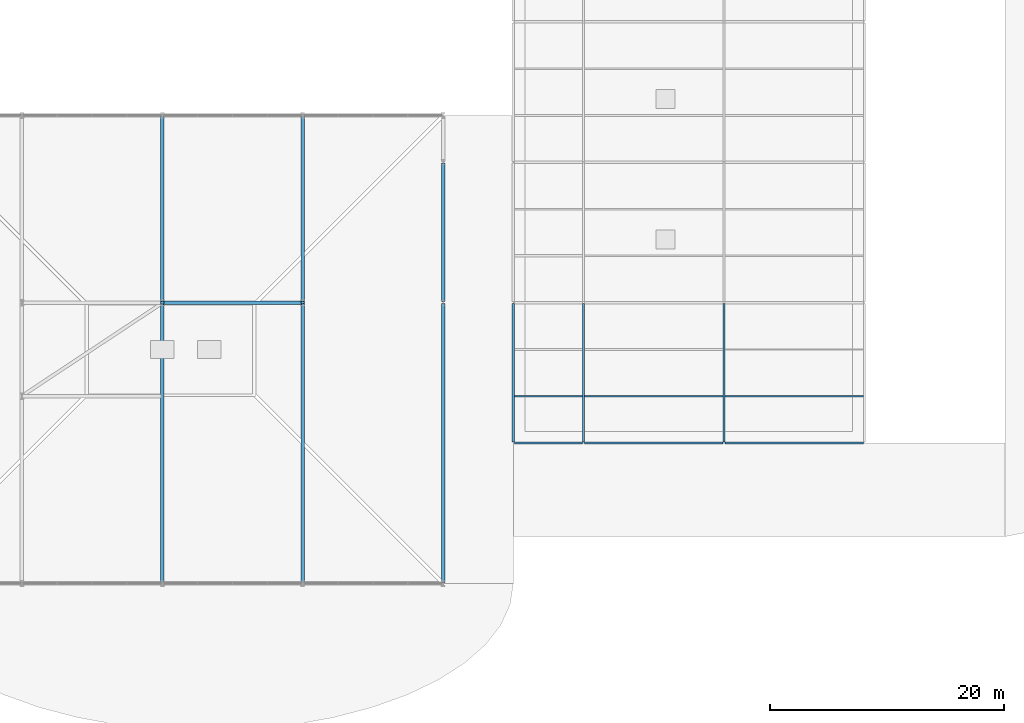
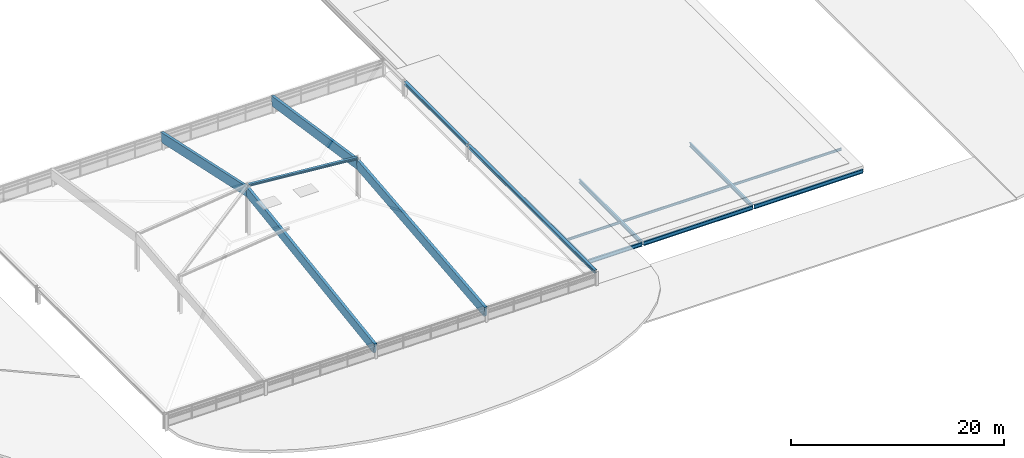
# One storey, part 71 of 80: 16 beams.
"""IFC4 building model written with IfcOpenShell, lengths in metres."""

from ifc_helpers import new_model, si_unit, direction, frame, origin, origin_2d, place, context, subcontext, project, spatial, rectangle, i_section, extrude, material, material_profile, profile_set, type_object, element, save


model = new_model("IFC4")

# Units and contexts
model_context = context("Model", 3, precision=1e-05, world=origin(), true_north=direction((0.0, 1.0)))
body_context = subcontext(model_context, "Body", "Model", "MODEL_VIEW")
ifc_project = project(units=[si_unit("LENGTHUNIT", "METRE"), si_unit("AREAUNIT", "SQUARE_METRE"), si_unit("VOLUMEUNIT", "CUBIC_METRE"), si_unit("PLANEANGLEUNIT", "RADIAN"), si_unit("MASSUNIT", "GRAM", prefix="KILO"), si_unit("THERMODYNAMICTEMPERATUREUNIT", "KELVIN"), si_unit("POWERUNIT", "WATT")], contexts=[model_context])

# Site, building, storey
site_placement = place(None, origin())
site = spatial("IfcSite", under=ifc_project, at=site_placement, CompositionType="ELEMENT")
building_placement = place(site_placement, origin())
building = spatial("IfcBuilding", under=site, at=building_placement, Name="Solmara Park Aquatics Centre", CompositionType="ELEMENT")
storey_placement = place(building_placement, frame((0.0, 0.0, 22.800048828125)))
storey = spatial("IfcBuildingStorey", under=building, at=storey_placement, Name="RF", CompositionType="ELEMENT", Elevation=22.800048828125)

# Beams
ifc_material_1 = material(Name="Glulam Timber GL28h", Category="wood")
ifc_material_profile_1 = material_profile(ifc_material_1, rectangle(XDim=0.300048828125, YDim=1.1201171875, at=origin_2d()), Name="GL28h 300x1120")
ifc_profile_set_1 = profile_set([ifc_material_profile_1], Name="Glulam Timber GL28h")
beam_type_1 = type_object("IfcBeamType", Name="STR-BM-GL300x1120", PredefinedType="BEAM", material=ifc_profile_set_1)
beam_1_placement = place(storey_placement, frame((132.0, 12.60009765625, -7.0), z_axis=(0.0, 0.989650531389, 0.143498521672), x_axis=(-1.0, 0.0, 0.0)))
element("IfcBeam", 1, at=beam_1_placement, inside=storey, type_object=beam_type_1, Name="Diving Roof Glulam Portal Girder S-132", PredefinedType="BEAM", context=body_context, shape_type="SweptSolid", body=[
    extrude(rectangle(XDim=0.300048828125, YDim=1.1201171875, at=origin_2d()), origin(), (0.0, 0.0, 1.0), 24.2509765625),
])
beam_2_placement = place(storey_placement, frame((132.0, 52.60009765625, -7.0), z_axis=(0.0, -0.977154558672, 0.212529923696), x_axis=(1.0, 0.0, 0.0)))
element("IfcBeam", 2, at=beam_2_placement, inside=storey, type_object=beam_type_1, Name="Diving Roof Glulam Portal Girder N-132", PredefinedType="BEAM", context=body_context, shape_type="SweptSolid", body=[
    extrude(rectangle(XDim=0.300048828125, YDim=1.1201171875, at=origin_2d()), origin(), (0.0, 0.0, 1.0), 16.3740234375),
])
beam_3_placement = place(storey_placement, frame((144.0, 12.60009765625, -7.0), z_axis=(0.0, 0.995037591075, 0.099499710289), x_axis=(-1.0, 0.0, 0.0)))
element("IfcBeam", 3, at=beam_3_placement, inside=storey, type_object=beam_type_1, Name="Diving Roof Glulam Portal Girder S-144", PredefinedType="BEAM", context=body_context, shape_type="SweptSolid", body=[
    extrude(rectangle(XDim=0.300048828125, YDim=1.1201171875, at=origin_2d()), origin(), (0.0, 0.0, 1.0), 24.11962890625),
])
beam_4_placement = place(storey_placement, frame((144.0, 52.60009765625, -7.0), z_axis=(0.0, -0.988937238327, 0.148334549755), x_axis=(1.0, 0.0, 0.0)))
element("IfcBeam", 4, at=beam_4_placement, inside=storey, type_object=beam_type_1, Name="Diving Roof Glulam Portal Girder N-144", PredefinedType="BEAM", context=body_context, shape_type="SweptSolid", body=[
    extrude(rectangle(XDim=0.300048828125, YDim=1.1201171875, at=origin_2d()), origin(), (0.0, 0.0, 1.0), 16.178955078125),
])
ifc_material_2 = material(Name="Structural Steel S355", Category="steel")
ifc_material_profile_2 = material_profile(ifc_material_2, i_section(OverallWidth=0.280029296875, OverallDepth=0.27001953125, WebThickness=0.008056640625, FlangeThickness=0.012939453125, FilletRadius=0.02392578125, at=origin_2d()), Name="HEA 280")
ifc_profile_set_2 = profile_set([ifc_material_profile_2], Name="Structural Steel S355")
beam_type_2 = type_object("IfcBeamType", Name="STR-BM-HEA280", PredefinedType="BEAM", material=ifc_profile_set_2)
beam_5_placement = place(storey_placement, frame((132.080078125, 36.60009765625, -2.820068359375), z_axis=(0.996164050686, 0.0, -0.087505337676), x_axis=(0.0, 1.0, 0.0)))
element("IfcBeam", 5, at=beam_5_placement, inside=storey, type_object=beam_type_2, Name="Diving Crown Ridge Girder 132", PredefinedType="BEAM", context=body_context, shape_type="SweptSolid", body=[
    extrude(i_section(OverallWidth=0.280029296875, OverallDepth=0.27001953125, WebThickness=0.008056640625, FlangeThickness=0.012939453125, FilletRadius=0.02392578125, at=origin_2d()), origin(), (0.0, 0.0, 1.0), 11.885498046875),
])
ifc_material_profile_3 = material_profile(ifc_material_2, i_section(OverallWidth=0.300048828125, OverallDepth=0.35009765625, WebThickness=0.010009765625, FlangeThickness=0.017578125, FilletRadius=0.027099609375, at=origin_2d()), Name="HEA 360")
ifc_profile_set_3 = profile_set([ifc_material_profile_3], Name="Structural Steel S355")
beam_type_3 = type_object("IfcBeamType", Name="STR-BM-HEA360", PredefinedType="BEAM", material=ifc_profile_set_3)
beam_6_placement = place(storey_placement, frame((156.0, 12.679931640625, -6.66015625), z_axis=(0.0, 1.0, 0.0), x_axis=(-1.0, 0.0, 0.0)))
element("IfcBeam", 6, at=beam_6_placement, inside=storey, type_object=beam_type_3, Name="Diving Clerestory End Ring Beam 156-12", PredefinedType="BEAM", context=body_context, shape_type="SweptSolid", body=[
    extrude(i_section(OverallWidth=0.300048828125, OverallDepth=0.35009765625, WebThickness=0.010009765625, FlangeThickness=0.017578125, FilletRadius=0.027099609375, at=origin_2d()), origin(), (0.0, 0.0, 1.0), 23.840087890625),
])
beam_7_placement = place(storey_placement, frame((156.0, 36.679931640625, -6.66015625), z_axis=(0.0, 1.0, 0.0), x_axis=(-1.0, 0.0, 0.0)))
element("IfcBeam", 7, at=beam_7_placement, inside=storey, type_object=beam_type_3, Name="Diving Clerestory End Ring Beam 156-36", PredefinedType="BEAM", context=body_context, shape_type="SweptSolid", body=[
    extrude(i_section(OverallWidth=0.300048828125, OverallDepth=0.35009765625, WebThickness=0.010009765625, FlangeThickness=0.017578125, FilletRadius=0.027099609375, at=origin_2d()), origin(), (0.0, 0.0, 1.0), 11.840087890625),
])
ifc_material_profile_4 = material_profile(ifc_material_2, i_section(OverallWidth=0.18994140625, OverallDepth=0.449951171875, WebThickness=0.009521484375, FlangeThickness=0.0146484375, FilletRadius=0.02099609375, at=origin_2d()), Name="IPE 450")
ifc_profile_set_4 = profile_set([ifc_material_profile_4], Name="Structural Steel S355")
beam_type_4 = type_object("IfcBeamType", Name="STR-BM-IPE450", PredefinedType="BEAM", material=ifc_profile_set_4)
beam_8_placement = place(storey_placement, frame((162.080078125, 24.60009765625, -14.864990234375), z_axis=(1.0, 0.0, 0.0), x_axis=(0.0, 1.0, 0.0)))
element("IfcBeam", 8, at=beam_8_placement, inside=storey, type_object=beam_type_4, Name="Girder BM-RF-0518", PredefinedType="BEAM", context=body_context, shape_type="SweptSolid", body=[
    extrude(i_section(OverallWidth=0.18994140625, OverallDepth=0.449951171875, WebThickness=0.009521484375, FlangeThickness=0.0146484375, FilletRadius=0.02099609375, at=origin_2d()), origin(), (0.0, 0.0, 1.0), 5.83984375),
])
for number, where, z_axis, x_axis, name in (
    (9, (168.080078125, 24.60009765625, -14.864990234375), (1.0, 0.0, 0.0), (0.0, 1.0, 0.0), "Girder BM-RF-0519"),
    (10, (180.080078125, 24.60009765625, -14.864990234375), (1.0, 0.0, 0.0), (0.0, 1.0, 0.0), "Girder BM-RF-0520"),
):
    element("IfcBeam", number, at=place(storey_placement, frame(where, z_axis=z_axis, x_axis=x_axis)), inside=storey, type_object=beam_type_4, Name=name, PredefinedType="BEAM", context=body_context, shape_type="SweptSolid", body=[
        extrude(i_section(OverallWidth=0.18994140625, OverallDepth=0.449951171875, WebThickness=0.009521484375, FlangeThickness=0.0146484375, FilletRadius=0.02099609375, at=origin_2d()), origin(), (0.0, 0.0, 1.0), 11.83984375),
    ])
for number, where, z_axis, x_axis, name in (
    (11, (162.0, 24.679931640625, -14.864990234375), (0.0, 1.0, 0.0), (-1.0, 0.0, 0.0), "Girder BM-RF-0533"),
    (12, (168.0, 24.679931640625, -14.864990234375), (0.0, 1.0, 0.0), (-1.0, 0.0, 0.0), "Girder BM-RF-0537"),
    (13, (180.0, 24.679931640625, -14.864990234375), (0.0, 1.0, 0.0), (-1.0, 0.0, 0.0), "Girder BM-RF-0541"),
):
    element("IfcBeam", number, at=place(storey_placement, frame(where, z_axis=z_axis, x_axis=x_axis)), inside=storey, type_object=beam_type_4, Name=name, PredefinedType="BEAM", context=body_context, shape_type="SweptSolid", body=[
        extrude(i_section(OverallWidth=0.18994140625, OverallDepth=0.449951171875, WebThickness=0.009521484375, FlangeThickness=0.0146484375, FilletRadius=0.02099609375, at=origin_2d()), origin(), (0.0, 0.0, 1.0), 11.840087890625),
    ])
ifc_material_profile_5 = material_profile(ifc_material_2, i_section(OverallWidth=0.135009765625, OverallDepth=0.27001953125, WebThickness=0.006591796875, FlangeThickness=0.01025390625, FilletRadius=0.014892578125, at=origin_2d()), Name="IPE 270")
ifc_profile_set_5 = profile_set([ifc_material_profile_5], Name="Structural Steel S355")
beam_type_5 = type_object("IfcBeamType", Name="STR-JST-IPE270", PredefinedType="JOIST", material=ifc_profile_set_5)
beam_9_placement = place(storey_placement, frame((162.094970703125, 28.60009765625, -14.775146484375), z_axis=(1.0, 0.0, 0.0), x_axis=(0.0, 1.0, 0.0)))
element("IfcBeam", 14, at=beam_9_placement, inside=storey, type_object=beam_type_5, Name="Floor Joist JST-RF-0282", PredefinedType="JOIST", context=body_context, shape_type="SweptSolid", body=[
    extrude(i_section(OverallWidth=0.135009765625, OverallDepth=0.27001953125, WebThickness=0.006591796875, FlangeThickness=0.01025390625, FilletRadius=0.014892578125, at=origin_2d()), origin(), (0.0, 0.0, 1.0), 5.81005859375),
])
for number, where, z_axis, x_axis, name in (
    (15, (168.094970703125, 28.60009765625, -14.775146484375), (1.0, 0.0, 0.0), (0.0, 1.0, 0.0), "Floor Joist JST-RF-0290"),
    (16, (180.094970703125, 28.60009765625, -14.775146484375), (1.0, 0.0, 0.0), (0.0, 1.0, 0.0), "Floor Joist JST-RF-0298"),
):
    element("IfcBeam", number, at=place(storey_placement, frame(where, z_axis=z_axis, x_axis=x_axis)), inside=storey, type_object=beam_type_5, Name=name, PredefinedType="JOIST", context=body_context, shape_type="SweptSolid", body=[
        extrude(i_section(OverallWidth=0.135009765625, OverallDepth=0.27001953125, WebThickness=0.006591796875, FlangeThickness=0.01025390625, FilletRadius=0.014892578125, at=origin_2d()), origin(), (0.0, 0.0, 1.0), 11.81005859375),
    ])

save(model, "model.ifc")
